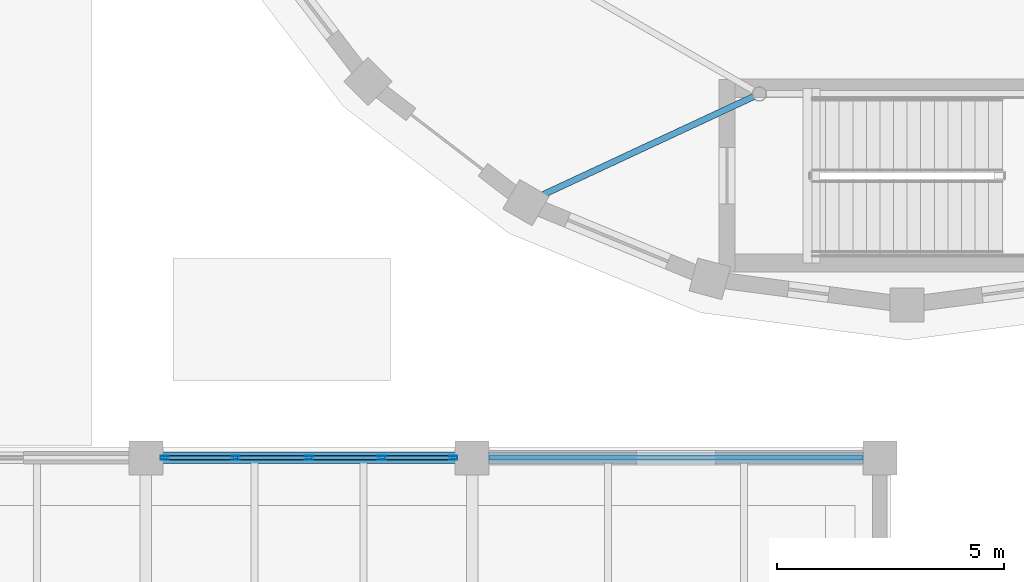
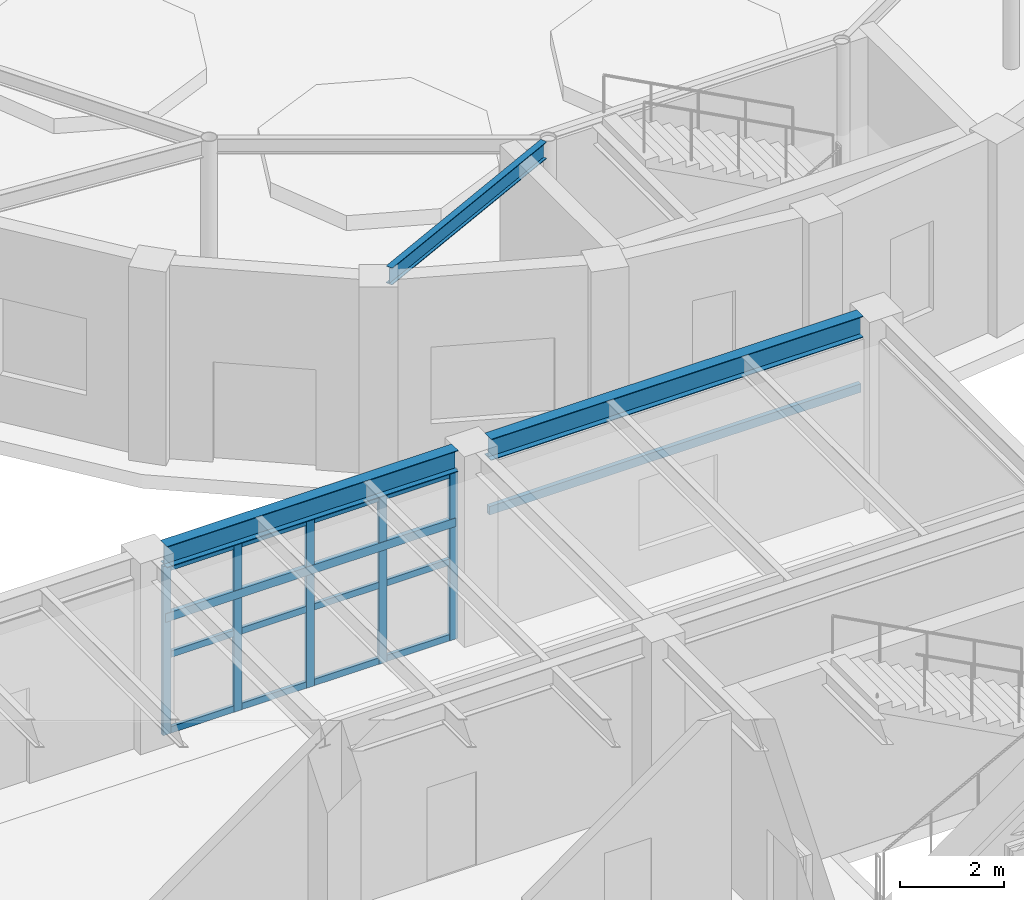
# One storey, part 18 of 39: 17 members, 5 beams, 1 element without a shape of its own.
"""IFC4 building model written with IfcOpenShell, lengths in metres."""

from ifc_helpers import new_model, si_unit, direction, frame, origin, origin_2d, place, context, subcontext, project, spatial, hollow_rectangle, i_section, extrude, material, layer, layer_set, material_profile, profile_set, type_object, element, aggregate, save


model = new_model("IFC4")

# Units and contexts
model_context = context("Model", 3, precision=1e-05, world=origin(), true_north=direction((0.0, 1.0)))
body_context = subcontext(model_context, "Body", "Model", "MODEL_VIEW")
ifc_project = project(units=[si_unit("LENGTHUNIT", "METRE"), si_unit("AREAUNIT", "SQUARE_METRE"), si_unit("VOLUMEUNIT", "CUBIC_METRE"), si_unit("PLANEANGLEUNIT", "RADIAN"), si_unit("MASSUNIT", "GRAM", prefix="KILO")], contexts=[model_context])

# Site, building, storey
site_placement = place(None, origin())
site = spatial("IfcSite", under=ifc_project, at=site_placement, CompositionType="ELEMENT")
building_placement = place(site_placement, origin())
building = spatial("IfcBuilding", under=site, at=building_placement, Name="Kandorven Conservatory and Botanical Research Centre", CompositionType="ELEMENT")
storey_placement = place(building_placement, origin())
storey = spatial("IfcBuildingStorey", under=building, at=storey_placement, Name="L00", CompositionType="ELEMENT", Elevation=0.0)

# Beams
ifc_material_1 = material(Name="Steel S355 (IS 2062 E350)", Category="steel")
ifc_material_profile_1 = material_profile(ifc_material_1, i_section(OverallWidth=0.25, OverallDepth=0.5, WebThickness=0.010009765625, FlangeThickness=0.0146484375, at=origin_2d()))
ifc_profile_set_1 = profile_set([ifc_material_profile_1], Name="Steel S355 (IS 2062 E350)")
beam_type_1 = type_object("IfcBeamType", Name="Beam_FG-02", PredefinedType="USERDEFINED", material=ifc_profile_set_1)
beam_1_placement = place(storey_placement, frame((71.1650390625, 27.60009765625, 4.22998046875), z_axis=(1.0, 0.0, 0.0), x_axis=(0.0, 1.0, 0.0)))
element("IfcBeam", 1, at=beam_1_placement, inside=storey, type_object=beam_type_1, Name="Primary girder FG-02 VIS L00", ObjectType="GIRDER", PredefinedType="USERDEFINED", context=body_context, shape_type="SweptSolid", body=[
    extrude(i_section(OverallWidth=0.25, OverallDepth=0.5, WebThickness=0.010009765625, FlangeThickness=0.0146484375, at=origin_2d()), origin(), (0.0, 0.0, 1.0), 6.469970703125),
])
beam_2_placement = place(storey_placement, frame((78.364990234375, 27.60009765625, 4.22998046875), z_axis=(1.0, 0.0, 0.0), x_axis=(0.0, 1.0, 0.0)))
element("IfcBeam", 2, at=beam_2_placement, inside=storey, type_object=beam_type_1, Name="Primary girder FG-02 VIS L00", ObjectType="GIRDER", PredefinedType="USERDEFINED", context=body_context, shape_type="SweptSolid", body=[
    extrude(i_section(OverallWidth=0.25, OverallDepth=0.5, WebThickness=0.010009765625, FlangeThickness=0.0146484375, at=origin_2d()), origin(), (0.0, 0.0, 1.0), 8.27001953125),
])
ifc_material_2 = material(Name="Steel S355 (IS 2062 E350)", Category="steel")
ifc_material_profile_2 = material_profile(ifc_material_2, hollow_rectangle(XDim=0.10009765625, YDim=0.199951171875, WallThickness=0.008056640625, at=origin_2d()))
ifc_profile_set_2 = profile_set([ifc_material_profile_2], Name="Steel S355 (IS 2062 E350)")
beam_type_2 = type_object("IfcBeamType", Name="Beam_LN-01", PredefinedType="LINTEL", material=ifc_profile_set_2)
beam_3_placement = place(storey_placement, frame((71.175048828125, 27.60009765625, 2.75), z_axis=(1.0, 0.0, 0.0), x_axis=(0.0, 1.0, 0.0)))
element("IfcBeam", 3, at=beam_3_placement, inside=storey, type_object=beam_type_2, Name="Column-to-column opening transom lintel LN-01 L00-5-2", PredefinedType="LINTEL", context=body_context, shape_type="SweptSolid", body=[
    extrude(hollow_rectangle(XDim=0.10009765625, YDim=0.199951171875, WallThickness=0.008056640625, at=origin_2d()), origin(), (0.0, 0.0, 1.0), 6.449951171875),
])
beam_4_placement = place(storey_placement, frame((78.375, 27.60009765625, 2.75), z_axis=(1.0, 0.0, 0.0), x_axis=(0.0, 1.0, 0.0)))
element("IfcBeam", 4, at=beam_4_placement, inside=storey, type_object=beam_type_2, Name="Column-to-column opening transom lintel LN-01 L00-6-2", PredefinedType="LINTEL", context=body_context, shape_type="SweptSolid", body=[
    extrude(hollow_rectangle(XDim=0.10009765625, YDim=0.199951171875, WallThickness=0.008056640625, at=origin_2d()), origin(), (0.0, 0.0, 1.0), 8.25),
])
ifc_material_3 = material(Name="Steel S355 (IS 2062 E350)", Category="steel")
ifc_material_profile_3 = material_profile(ifc_material_3, i_section(OverallWidth=0.139892578125, OverallDepth=0.39990234375, WebThickness=0.0087890625, FlangeThickness=0.01611328125, at=origin_2d()))
ifc_profile_set_3 = profile_set([ifc_material_profile_3], Name="Steel S355 (IS 2062 E350)")
beam_type_3 = type_object("IfcBeamType", Name="Beam_SB-05", PredefinedType="BEAM", material=ifc_profile_set_3)
beam_5_placement = place(storey_placement, frame((84.202880859375, 35.56591796875, 4.35009765625), z_axis=(-0.906436895365, -0.422341277547, 0.0), x_axis=(0.422341277547, -0.906436895365, 0.0)))
element("IfcBeam", 5, at=beam_5_placement, inside=storey, type_object=beam_type_3, Name="Conservatory walkway radial beam SB-05 09", PredefinedType="BEAM", context=body_context, shape_type="SweptSolid", body=[
    extrude(i_section(OverallWidth=0.139892578125, OverallDepth=0.39990234375, WebThickness=0.0087890625, FlangeThickness=0.01611328125, at=origin_2d()), origin(), (0.0, 0.0, 1.0), 5.182861328125),
])

# Curtain wall, members
ifc_material_4 = material(Name="Bronze anodised thermally broken aluminium", Category="aluminium")
ifc_layer = layer(ifc_material_4, 0.179931640625)
ifc_layer_set = layer_set([ifc_layer], Name="Bronze anodised thermally broken aluminium")
curtain_wall_type = type_object("IfcCurtainWallType", Name="CW_Unitised", PredefinedType="USERDEFINED", material=ifc_layer_set)
curtain_wall_placement = place(storey_placement, origin())
curtain_wall = element("IfcCurtainWall", 6, at=curtain_wall_placement, inside=storey, type_object=curtain_wall_type, Name="Visitor wing unitised curtain wall CW-VIS-N-L00-5", ObjectType="UNITISED GLAZING", PredefinedType="USERDEFINED")
ifc_material_5 = material(Name="Bronze anodised thermally broken aluminium", Category="aluminium")
ifc_material_profile_4 = material_profile(ifc_material_5, hollow_rectangle(XDim=0.080078125, YDim=0.179931640625, WallThickness=0.006103515625, at=origin_2d()))
ifc_profile_set_4 = profile_set([ifc_material_profile_4], Name="Bronze anodised thermally broken aluminium")
member_type_1 = type_object("IfcMemberType", Name="CW_Mullion", PredefinedType="MULLION", material=ifc_profile_set_4)
member_1_placement = place(storey_placement, frame((71.215087890625, 27.60009765625, 0.0), z_axis=(0.0, 0.0, 1.0), x_axis=(0.0, 1.0, 0.0)))
member_1 = element("IfcMember", 7, at=member_1_placement, type_object=member_type_1, Name="CW-01 mullion 1", PredefinedType="MULLION", context=body_context, shape_type="SweptSolid", body=[
    extrude(hollow_rectangle(XDim=0.080078125, YDim=0.179931640625, WallThickness=0.006103515625, at=origin_2d()), origin(), (0.0, 0.0, 1.0), 3.969970703125),
])
member_2_placement = place(storey_placement, frame((72.78759765625, 27.60009765625, 0.0), z_axis=(0.0, 0.0, 1.0), x_axis=(0.0, 1.0, 0.0)))
member_2 = element("IfcMember", 8, at=member_2_placement, type_object=member_type_1, Name="CW-01 mullion 2", PredefinedType="MULLION", context=body_context, shape_type="SweptSolid", body=[
    extrude(hollow_rectangle(XDim=0.080078125, YDim=0.179931640625, WallThickness=0.006103515625, at=origin_2d()), origin(), (0.0, 0.0, 1.0), 3.969970703125),
])
member_3_placement = place(storey_placement, frame((74.39990234375, 27.60009765625, 0.0), z_axis=(0.0, 0.0, 1.0), x_axis=(0.0, 1.0, 0.0)))
member_3 = element("IfcMember", 9, at=member_3_placement, type_object=member_type_1, Name="CW-01 mullion 3", PredefinedType="MULLION", context=body_context, shape_type="SweptSolid", body=[
    extrude(hollow_rectangle(XDim=0.080078125, YDim=0.179931640625, WallThickness=0.006103515625, at=origin_2d()), origin(), (0.0, 0.0, 1.0), 3.969970703125),
])
member_4_placement = place(storey_placement, frame((76.012451171875, 27.60009765625, 0.0), z_axis=(0.0, 0.0, 1.0), x_axis=(0.0, 1.0, 0.0)))
member_4 = element("IfcMember", 10, at=member_4_placement, type_object=member_type_1, Name="CW-01 mullion 4", PredefinedType="MULLION", context=body_context, shape_type="SweptSolid", body=[
    extrude(hollow_rectangle(XDim=0.080078125, YDim=0.179931640625, WallThickness=0.006103515625, at=origin_2d()), origin(), (0.0, 0.0, 1.0), 3.969970703125),
])
member_5_placement = place(storey_placement, frame((77.5849609375, 27.60009765625, 0.0), z_axis=(0.0, 0.0, 1.0), x_axis=(0.0, 1.0, 0.0)))
member_5 = element("IfcMember", 11, at=member_5_placement, type_object=member_type_1, Name="CW-01 mullion 5", PredefinedType="MULLION", context=body_context, shape_type="SweptSolid", body=[
    extrude(hollow_rectangle(XDim=0.080078125, YDim=0.179931640625, WallThickness=0.006103515625, at=origin_2d()), origin(), (0.0, 0.0, 1.0), 3.969970703125),
])
ifc_material_6 = material(Name="Bronze anodised thermally broken aluminium", Category="aluminium")
ifc_material_profile_5 = material_profile(ifc_material_6, hollow_rectangle(XDim=0.074951171875, YDim=0.14990234375, WallThickness=0.006103515625, at=origin_2d()))
ifc_profile_set_5 = profile_set([ifc_material_profile_5], Name="Bronze anodised thermally broken aluminium")
member_type_2 = type_object("IfcMemberType", Name="CW_Transom", PredefinedType="USERDEFINED", material=ifc_profile_set_5)
member_6_placement = place(storey_placement, frame((71.2548828125, 27.60009765625, 0.074951171875), z_axis=(1.0, 0.0, 0.0), x_axis=(0.0, 1.0, 0.0)))
member_6 = element("IfcMember", 12, at=member_6_placement, type_object=member_type_2, Name="CW-01 transom 1.1", ObjectType="TRANSOM", PredefinedType="USERDEFINED", context=body_context, shape_type="SweptSolid", body=[
    extrude(hollow_rectangle(XDim=0.074951171875, YDim=0.14990234375, WallThickness=0.006103515625, at=origin_2d()), origin(), (0.0, 0.0, 1.0), 1.49267578125),
])
member_7_placement = place(storey_placement, frame((71.2548828125, 27.60009765625, 1.85009765625), z_axis=(1.0, 0.0, 0.0), x_axis=(0.0, 1.0, 0.0)))
member_7 = element("IfcMember", 13, at=member_7_placement, type_object=member_type_2, Name="CW-01 transom 1.2", ObjectType="TRANSOM", PredefinedType="USERDEFINED", context=body_context, shape_type="SweptSolid", body=[
    extrude(hollow_rectangle(XDim=0.074951171875, YDim=0.14990234375, WallThickness=0.006103515625, at=origin_2d()), origin(), (0.0, 0.0, 1.0), 1.49267578125),
])
member_8_placement = place(storey_placement, frame((71.2548828125, 27.60009765625, 3.89501953125), z_axis=(1.0, 0.0, 0.0), x_axis=(0.0, 1.0, 0.0)))
member_8 = element("IfcMember", 14, at=member_8_placement, type_object=member_type_2, Name="CW-01 transom 1.3", ObjectType="TRANSOM", PredefinedType="USERDEFINED", context=body_context, shape_type="SweptSolid", body=[
    extrude(hollow_rectangle(XDim=0.074951171875, YDim=0.14990234375, WallThickness=0.006103515625, at=origin_2d()), origin(), (0.0, 0.0, 1.0), 1.49267578125),
])
member_9_placement = place(storey_placement, frame((72.827392578125, 27.60009765625, 0.074951171875), z_axis=(1.0, 0.0, 0.0), x_axis=(0.0, 1.0, 0.0)))
member_9 = element("IfcMember", 15, at=member_9_placement, type_object=member_type_2, Name="CW-01 transom 2.1", ObjectType="TRANSOM", PredefinedType="USERDEFINED", context=body_context, shape_type="SweptSolid", body=[
    extrude(hollow_rectangle(XDim=0.074951171875, YDim=0.14990234375, WallThickness=0.006103515625, at=origin_2d()), origin(), (0.0, 0.0, 1.0), 1.53271484375),
])
member_10_placement = place(storey_placement, frame((72.827392578125, 27.60009765625, 1.85009765625), z_axis=(1.0, 0.0, 0.0), x_axis=(0.0, 1.0, 0.0)))
member_10 = element("IfcMember", 16, at=member_10_placement, type_object=member_type_2, Name="CW-01 transom 2.2", ObjectType="TRANSOM", PredefinedType="USERDEFINED", context=body_context, shape_type="SweptSolid", body=[
    extrude(hollow_rectangle(XDim=0.074951171875, YDim=0.14990234375, WallThickness=0.006103515625, at=origin_2d()), origin(), (0.0, 0.0, 1.0), 1.53271484375),
])
member_11_placement = place(storey_placement, frame((72.827392578125, 27.60009765625, 3.89501953125), z_axis=(1.0, 0.0, 0.0), x_axis=(0.0, 1.0, 0.0)))
member_11 = element("IfcMember", 17, at=member_11_placement, type_object=member_type_2, Name="CW-01 transom 2.3", ObjectType="TRANSOM", PredefinedType="USERDEFINED", context=body_context, shape_type="SweptSolid", body=[
    extrude(hollow_rectangle(XDim=0.074951171875, YDim=0.14990234375, WallThickness=0.006103515625, at=origin_2d()), origin(), (0.0, 0.0, 1.0), 1.53271484375),
])
member_12_placement = place(storey_placement, frame((74.43994140625, 27.60009765625, 0.074951171875), z_axis=(1.0, 0.0, 0.0), x_axis=(0.0, 1.0, 0.0)))
member_12 = element("IfcMember", 18, at=member_12_placement, type_object=member_type_2, Name="CW-01 transom 3.1", ObjectType="TRANSOM", PredefinedType="USERDEFINED", context=body_context, shape_type="SweptSolid", body=[
    extrude(hollow_rectangle(XDim=0.074951171875, YDim=0.14990234375, WallThickness=0.006103515625, at=origin_2d()), origin(), (0.0, 0.0, 1.0), 1.532470703125),
])
member_13_placement = place(storey_placement, frame((74.43994140625, 27.60009765625, 1.85009765625), z_axis=(1.0, 0.0, 0.0), x_axis=(0.0, 1.0, 0.0)))
member_13 = element("IfcMember", 19, at=member_13_placement, type_object=member_type_2, Name="CW-01 transom 3.2", ObjectType="TRANSOM", PredefinedType="USERDEFINED", context=body_context, shape_type="SweptSolid", body=[
    extrude(hollow_rectangle(XDim=0.074951171875, YDim=0.14990234375, WallThickness=0.006103515625, at=origin_2d()), origin(), (0.0, 0.0, 1.0), 1.532470703125),
])
member_14_placement = place(storey_placement, frame((74.43994140625, 27.60009765625, 3.89501953125), z_axis=(1.0, 0.0, 0.0), x_axis=(0.0, 1.0, 0.0)))
member_14 = element("IfcMember", 20, at=member_14_placement, type_object=member_type_2, Name="CW-01 transom 3.3", ObjectType="TRANSOM", PredefinedType="USERDEFINED", context=body_context, shape_type="SweptSolid", body=[
    extrude(hollow_rectangle(XDim=0.074951171875, YDim=0.14990234375, WallThickness=0.006103515625, at=origin_2d()), origin(), (0.0, 0.0, 1.0), 1.532470703125),
])
member_15_placement = place(storey_placement, frame((76.052490234375, 27.60009765625, 0.074951171875), z_axis=(1.0, 0.0, 0.0), x_axis=(0.0, 1.0, 0.0)))
member_15 = element("IfcMember", 21, at=member_15_placement, type_object=member_type_2, Name="CW-01 transom 4.1", ObjectType="TRANSOM", PredefinedType="USERDEFINED", context=body_context, shape_type="SweptSolid", body=[
    extrude(hollow_rectangle(XDim=0.074951171875, YDim=0.14990234375, WallThickness=0.006103515625, at=origin_2d()), origin(), (0.0, 0.0, 1.0), 1.492431640625),
])
member_16_placement = place(storey_placement, frame((76.052490234375, 27.60009765625, 1.85009765625), z_axis=(1.0, 0.0, 0.0), x_axis=(0.0, 1.0, 0.0)))
member_16 = element("IfcMember", 22, at=member_16_placement, type_object=member_type_2, Name="CW-01 transom 4.2", ObjectType="TRANSOM", PredefinedType="USERDEFINED", context=body_context, shape_type="SweptSolid", body=[
    extrude(hollow_rectangle(XDim=0.074951171875, YDim=0.14990234375, WallThickness=0.006103515625, at=origin_2d()), origin(), (0.0, 0.0, 1.0), 1.492431640625),
])
member_17_placement = place(storey_placement, frame((76.052490234375, 27.60009765625, 3.89501953125), z_axis=(1.0, 0.0, 0.0), x_axis=(0.0, 1.0, 0.0)))
member_17 = element("IfcMember", 23, at=member_17_placement, type_object=member_type_2, Name="CW-01 transom 4.3", ObjectType="TRANSOM", PredefinedType="USERDEFINED", context=body_context, shape_type="SweptSolid", body=[
    extrude(hollow_rectangle(XDim=0.074951171875, YDim=0.14990234375, WallThickness=0.006103515625, at=origin_2d()), origin(), (0.0, 0.0, 1.0), 1.492431640625),
])
aggregate(curtain_wall, [member_1, member_2, member_3, member_4, member_5, member_6, member_7, member_8, member_9, member_10, member_11, member_12, member_13, member_14, member_15, member_16, member_17])

save(model, "model.ifc")
